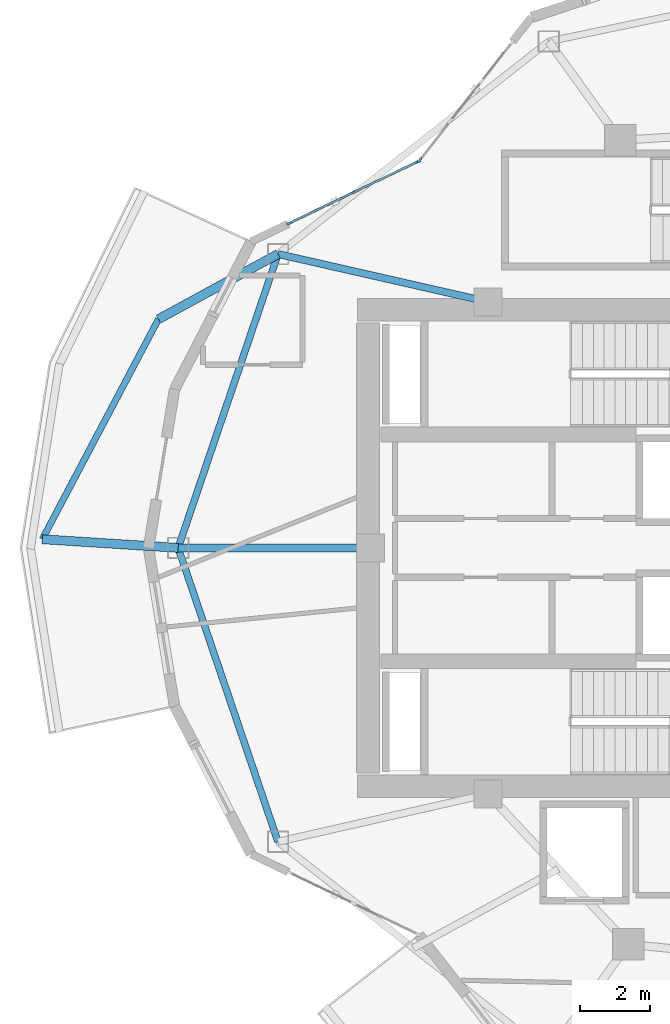
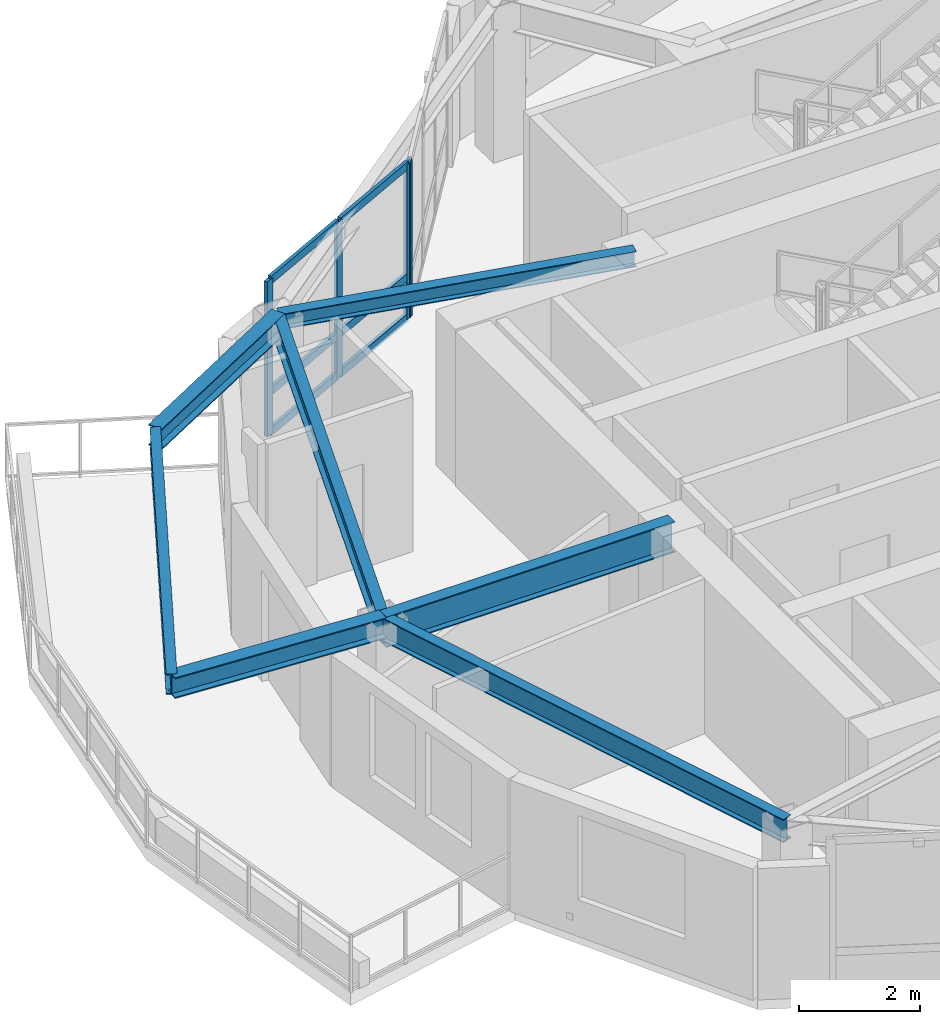
# One storey, part 3 of 16: 10 members, 7 beams, 2 elements without a shape of their own.
"""IFC4 building model written with IfcOpenShell, lengths in metres."""

from ifc_helpers import new_model, si_unit, direction, frame, origin, origin_2d, place, context, subcontext, project, spatial, rectangle, i_section, extrude, material, layer, layer_set, material_profile, profile_set, type_object, element, aggregate, save


model = new_model("IFC4")

# Units and contexts
model_context = context("Model", 3, precision=1e-05, world=origin(), true_north=direction((0.0, 1.0)))
body_context = subcontext(model_context, "Body", "Model", "MODEL_VIEW")
ifc_project = project(units=[si_unit("LENGTHUNIT", "METRE"), si_unit("AREAUNIT", "SQUARE_METRE"), si_unit("VOLUMEUNIT", "CUBIC_METRE"), si_unit("PLANEANGLEUNIT", "RADIAN"), si_unit("MASSUNIT", "GRAM", prefix="KILO")], contexts=[model_context])

# Site, building, storey
site_placement = place(None, origin())
site = spatial("IfcSite", under=ifc_project, at=site_placement, CompositionType="ELEMENT")
building_placement = place(site_placement, origin())
building = spatial("IfcBuilding", under=site, at=building_placement, Name="Kolvaren Gate Tower and Convention Centre", CompositionType="ELEMENT")
storey_placement = place(building_placement, frame((0.0, 0.0, 149.5)))
storey = spatial("IfcBuildingStorey", under=building, at=storey_placement, Name="L38", CompositionType="ELEMENT", Elevation=149.5)

# Curtain wall, member
ifc_material_1 = material(Name="Anodized Architectural Aluminium Alloy 6063-T6", Category="aluminium")
ifc_layer = layer(ifc_material_1, 0.159912109375)
ifc_layer_set = layer_set([ifc_layer], Name="Anodized Architectural Aluminium Alloy 6063-T6")
curtain_wall_type = type_object("IfcCurtainWallType", Name="CW-HTL-UNIT", PredefinedType="NOTDEFINED", material=ifc_layer_set)
curtain_wall_1_placement = place(storey_placement, origin())
curtain_wall_1 = element("IfcCurtainWall", 1, at=curtain_wall_1_placement, inside=storey, type_object=curtain_wall_type, Name="Tower L38 Unitised Curtain Wall CW-HTL-UNIT Bay 08", PredefinedType="NOTDEFINED")
ifc_material_profile_1 = material_profile(ifc_material_1, rectangle(XDim=0.06494140625, YDim=0.159912109375, at=origin_2d()), Name="CW-MEM-MUL-160")
ifc_profile_set_1 = profile_set([ifc_material_profile_1], Name="Anodized Architectural Aluminium Alloy 6063-T6")
member_type_1 = type_object("IfcMemberType", Name="CW-MEM-MUL-160", PredefinedType="MULLION", material=ifc_profile_set_1)
member_1_placement = place(storey_placement, frame((15.95654296875, 38.111572265625, 0.0), z_axis=(0.0, 0.0, 1.0), x_axis=(-0.787394793807, 0.616449056034, 0.0)))
member_1 = element("IfcMember", 2, at=member_1_placement, type_object=member_type_1, Name="CW-03 mullion 1", PredefinedType="MULLION", context=body_context, shape_type="SweptSolid", body=[
    extrude(rectangle(XDim=0.06494140625, YDim=0.159912109375, at=origin_2d()), origin(), (0.0, 0.0, 1.0), 3.1298828125),
])
aggregate(curtain_wall_1, [member_1])

# Curtain wall, members
curtain_wall_2_placement = place(storey_placement, origin())
curtain_wall_2 = element("IfcCurtainWall", 3, at=curtain_wall_2_placement, inside=storey, type_object=curtain_wall_type, Name="Tower L38 Unitised Curtain Wall CW-HTL-UNIT Bay 09", PredefinedType="NOTDEFINED")
member_2_placement = place(storey_placement, frame((12.220458984375, 36.300537109375, 0.0), z_axis=(0.0, 0.0, 1.0), x_axis=(-0.433065112035, 0.901362639973, 0.0)))
member_2 = element("IfcMember", 4, at=member_2_placement, type_object=member_type_1, Name="CW-03 mullion 1", PredefinedType="MULLION", context=body_context, shape_type="SweptSolid", body=[
    extrude(rectangle(XDim=0.06494140625, YDim=0.159912109375, at=origin_2d()), origin(), (0.0, 0.0, 1.0), 3.1298828125),
])
member_3_placement = place(storey_placement, frame((14.063720703125, 37.186279296875, 0.0), z_axis=(0.0, 0.0, 1.0), x_axis=(-0.433065112035, 0.901362639973, 0.0)))
member_3 = element("IfcMember", 5, at=member_3_placement, type_object=member_type_1, Name="CW-03 mullion 2", PredefinedType="MULLION", context=body_context, shape_type="SweptSolid", body=[
    extrude(rectangle(XDim=0.06494140625, YDim=0.159912109375, at=origin_2d()), origin(), (0.0, 0.0, 1.0), 3.1298828125),
])
member_4_placement = place(storey_placement, frame((15.9072265625, 38.072021484375, 0.0), z_axis=(0.0, 0.0, 1.0), x_axis=(-0.433065112035, 0.901362639973, 0.0)))
member_4 = element("IfcMember", 6, at=member_4_placement, type_object=member_type_1, Name="CW-03 mullion 3", PredefinedType="MULLION", context=body_context, shape_type="SweptSolid", body=[
    extrude(rectangle(XDim=0.06494140625, YDim=0.159912109375, at=origin_2d()), origin(), (0.0, 0.0, 1.0), 3.1298828125),
])
ifc_material_profile_2 = material_profile(ifc_material_1, rectangle(XDim=0.06494140625, YDim=0.159912109375, at=origin_2d()), Name="CW-MEM-TRN-160")
ifc_profile_set_2 = profile_set([ifc_material_profile_2], Name="Anodized Architectural Aluminium Alloy 6063-T6")
member_type_2 = type_object("IfcMemberType", Name="CW-MEM-TRN-160", PredefinedType="USERDEFINED", material=ifc_profile_set_2)
member_5_placement = place(storey_placement, frame((12.249755859375, 36.314697265625, 0.032470703125), z_axis=(0.901369067985, 0.433051732799, 0.0), x_axis=(-0.433051732799, 0.901369067985, 0.0)))
member_5 = element("IfcMember", 7, at=member_5_placement, type_object=member_type_2, Name="CW-03 transom 1.1", ObjectType="TRANSOM", PredefinedType="USERDEFINED", context=body_context, shape_type="SweptSolid", body=[
    extrude(rectangle(XDim=0.06494140625, YDim=0.159912109375, at=origin_2d()), origin(), (0.0, 0.0, 1.0), 1.97998046875),
])
member_6_placement = place(storey_placement, frame((12.249755859375, 36.314697265625, 0.85009765625), z_axis=(0.901369067985, 0.433051732799, 0.0), x_axis=(-0.433051732799, 0.901369067985, 0.0)))
member_6 = element("IfcMember", 8, at=member_6_placement, type_object=member_type_2, Name="CW-03 transom 1.2", ObjectType="TRANSOM", PredefinedType="USERDEFINED", context=body_context, shape_type="SweptSolid", body=[
    extrude(rectangle(XDim=0.06494140625, YDim=0.159912109375, at=origin_2d()), origin(), (0.0, 0.0, 1.0), 1.97998046875),
])
member_7_placement = place(storey_placement, frame((12.249755859375, 36.314697265625, 3.097412109375), z_axis=(0.901369067985, 0.433051732799, 0.0), x_axis=(-0.433051732799, 0.901369067985, 0.0)))
member_7 = element("IfcMember", 9, at=member_7_placement, type_object=member_type_2, Name="CW-03 transom 1.3", ObjectType="TRANSOM", PredefinedType="USERDEFINED", context=body_context, shape_type="SweptSolid", body=[
    extrude(rectangle(XDim=0.06494140625, YDim=0.159912109375, at=origin_2d()), origin(), (0.0, 0.0, 1.0), 1.97998046875),
])
member_8_placement = place(storey_placement, frame((14.093017578125, 37.200439453125, 0.032470703125), z_axis=(0.90139218823, 0.433003606218, 0.0), x_axis=(-0.433003606218, 0.90139218823, 0.0)))
member_8 = element("IfcMember", 10, at=member_8_placement, type_object=member_type_2, Name="CW-03 transom 2.1", ObjectType="TRANSOM", PredefinedType="USERDEFINED", context=body_context, shape_type="SweptSolid", body=[
    extrude(rectangle(XDim=0.06494140625, YDim=0.159912109375, at=origin_2d()), origin(), (0.0, 0.0, 1.0), 1.980224609375),
])
member_9_placement = place(storey_placement, frame((14.093017578125, 37.200439453125, 0.85009765625), z_axis=(0.90139218823, 0.433003606218, 0.0), x_axis=(-0.433003606218, 0.90139218823, 0.0)))
member_9 = element("IfcMember", 11, at=member_9_placement, type_object=member_type_2, Name="CW-03 transom 2.2", ObjectType="TRANSOM", PredefinedType="USERDEFINED", context=body_context, shape_type="SweptSolid", body=[
    extrude(rectangle(XDim=0.06494140625, YDim=0.159912109375, at=origin_2d()), origin(), (0.0, 0.0, 1.0), 1.980224609375),
])
member_10_placement = place(storey_placement, frame((14.093017578125, 37.200439453125, 3.097412109375), z_axis=(0.90139218823, 0.433003606218, 0.0), x_axis=(-0.433003606218, 0.90139218823, 0.0)))
member_10 = element("IfcMember", 12, at=member_10_placement, type_object=member_type_2, Name="CW-03 transom 2.3", ObjectType="TRANSOM", PredefinedType="USERDEFINED", context=body_context, shape_type="SweptSolid", body=[
    extrude(rectangle(XDim=0.06494140625, YDim=0.159912109375, at=origin_2d()), origin(), (0.0, 0.0, 1.0), 1.980224609375),
])
aggregate(curtain_wall_2, [member_2, member_3, member_4, member_5, member_6, member_7, member_8, member_9, member_10])

# Beams
ifc_material_2 = material(Name="Structural steel ASTM A992 Grade 345 MPa", Category="steel")
ifc_material_profile_3 = material_profile(ifc_material_2, i_section(OverallWidth=0.260009765625, OverallDepth=0.419921875, WebThickness=0.013427734375, FlangeThickness=0.0224609375, at=origin_2d()), Name="W410X132")
ifc_profile_set_3 = profile_set([ifc_material_profile_3], Name="Structural steel ASTM A992 Grade 345 MPa")
beam_type_1 = type_object("IfcBeamType", Name="STR-BM-W410X132", PredefinedType="BEAM", material=ifc_profile_set_3)
for number, where, z_axis, x_axis, name in (
    (13, (11.898193359375, 35.418701171875, 2.92041015625), (-0.878175335842, -0.47833887519, 0.0), (0.47833887519, -0.878175335842, 0.0), "Tower L39 Planted Balcony Outrigger Cantilever BC-2A"),
    (14, (9.03759765625, 27.0, 2.92041015625), (-0.997967389097, 0.063726684362, 0.0), (-0.063726684362, -0.997967389097, 0.0), "Tower L39 Planted Balcony Outrigger Cantilever BC-2B"),
):
    element("IfcBeam", number, at=place(storey_placement, frame(where, z_axis=z_axis, x_axis=x_axis)), inside=storey, type_object=beam_type_1, Name=name, PredefinedType="BEAM", context=body_context, shape_type="SweptSolid", body=[
        extrude(i_section(OverallWidth=0.260009765625, OverallDepth=0.419921875, WebThickness=0.013427734375, FlangeThickness=0.0224609375, at=origin_2d()), origin(), (0.0, 0.0, 1.0), 3.89990234375),
    ])
ifc_material_profile_4 = material_profile(ifc_material_2, i_section(OverallWidth=0.22998046875, OverallDepth=0.616943359375, WebThickness=0.01318359375, FlangeThickness=0.022216796875, at=origin_2d()), Name="W610X140")
ifc_profile_set_4 = profile_set([ifc_material_profile_4], Name="Structural steel ASTM A992 Grade 345 MPa")
beam_type_2 = type_object("IfcBeamType", Name="STR-BM-W610X140", PredefinedType="BEAM", material=ifc_profile_set_4)
beam_1_placement = place(storey_placement, frame((14.550048828125, 27.0, 2.821533203125), z_axis=(-1.0, 0.0, 0.0), x_axis=(0.0, -1.0, 0.0)))
element("IfcBeam", 15, at=beam_1_placement, inside=storey, type_object=beam_type_2, Name="Tower L38 Radial Floor Girder RB-07", PredefinedType="BEAM", context=body_context, shape_type="SweptSolid", body=[
    extrude(i_section(OverallWidth=0.22998046875, OverallDepth=0.616943359375, WebThickness=0.01318359375, FlangeThickness=0.022216796875, at=origin_2d()), origin(), (0.0, 0.0, 1.0), 5.512451171875),
])
ifc_material_profile_5 = material_profile(ifc_material_2, i_section(OverallWidth=0.205078125, OverallDepth=0.31005859375, WebThickness=0.009521484375, FlangeThickness=0.016357421875, at=origin_2d()), Name="W310X74")
ifc_profile_set_5 = profile_set([ifc_material_profile_5], Name="Structural steel ASTM A992 Grade 345 MPa")
beam_type_3 = type_object("IfcBeamType", Name="STR-JS-W310X74", PredefinedType="JOIST", material=ifc_profile_set_5)
beam_2_placement = place(storey_placement, frame((17.9140625, 34.050048828125, 2.97509765625), z_axis=(-0.975083464295, 0.221838314226, 0.0), x_axis=(-0.221838314226, -0.975083464295, 0.0)))
element("IfcBeam", 16, at=beam_2_placement, inside=storey, type_object=beam_type_3, Name="Tower L38 Radial Floor Girder RB-06", PredefinedType="JOIST", context=body_context, shape_type="SweptSolid", body=[
    extrude(i_section(OverallWidth=0.205078125, OverallDepth=0.31005859375, WebThickness=0.009521484375, FlangeThickness=0.016357421875, at=origin_2d()), origin(), (0.0, 0.0, 1.0), 6.169677734375),
])
ifc_material_profile_6 = material_profile(ifc_material_2, i_section(OverallWidth=0.180908203125, OverallDepth=0.4169921875, WebThickness=0.010986328125, FlangeThickness=0.018310546875, at=origin_2d()), Name="W410X85")
ifc_profile_set_6 = profile_set([ifc_material_profile_6], Name="Structural steel ASTM A992 Grade 345 MPa")
beam_type_4 = type_object("IfcBeamType", Name="STR-SP-W410X85", PredefinedType="SPANDREL", material=ifc_profile_set_6)
beam_3_placement = place(storey_placement, frame((8.473388671875, 33.55322265625, 2.922119140625), z_axis=(-0.466803260322, -0.884361191003, 0.0), x_axis=(0.884361191003, -0.466803260322, 0.0)))
element("IfcBeam", 17, at=beam_3_placement, inside=storey, type_object=beam_type_4, Name="Tower L39 Planted Balcony Header Tie Beam BT-2", PredefinedType="SPANDREL", context=body_context, shape_type="SweptSolid", body=[
    extrude(i_section(OverallWidth=0.180908203125, OverallDepth=0.4169921875, WebThickness=0.010986328125, FlangeThickness=0.018310546875, at=origin_2d()), origin(), (0.0, 0.0, 1.0), 7.129150390625),
])
ifc_material_profile_7 = material_profile(ifc_material_2, i_section(OverallWidth=0.194091796875, OverallDepth=0.468994140625, WebThickness=0.0126953125, FlangeThickness=0.0205078125, at=origin_2d()), Name="W460X106")
ifc_profile_set_7 = profile_set([ifc_material_profile_7], Name="Structural steel ASTM A992 Grade 345 MPa")
beam_type_5 = type_object("IfcBeamType", Name="STR-SP-W460X106", PredefinedType="SPANDREL", material=ifc_profile_set_7)
for number, where, z_axis, x_axis, name in (
    (18, (11.898193359375, 35.418701171875, 2.8955078125), (-0.321725023609, -0.946833147489, 0.0), (0.946833147489, -0.321725023609, 0.0), "Tower L38 Perimeter Spandrel Beam SP-06"),
    (19, (9.03759765625, 27.0, 2.8955078125), (0.321725023609, -0.946833147489, 0.0), (0.946833147489, 0.321725023609, 0.0), "Tower L38 Perimeter Spandrel Beam SP-07"),
):
    element("IfcBeam", number, at=place(storey_placement, frame(where, z_axis=z_axis, x_axis=x_axis)), inside=storey, type_object=beam_type_5, Name=name, PredefinedType="SPANDREL", context=body_context, shape_type="SweptSolid", body=[
        extrude(i_section(OverallWidth=0.194091796875, OverallDepth=0.468994140625, WebThickness=0.0126953125, FlangeThickness=0.0205078125, at=origin_2d()), origin(), (0.0, 0.0, 1.0), 8.891357421875),
    ])

save(model, "model.ifc")
